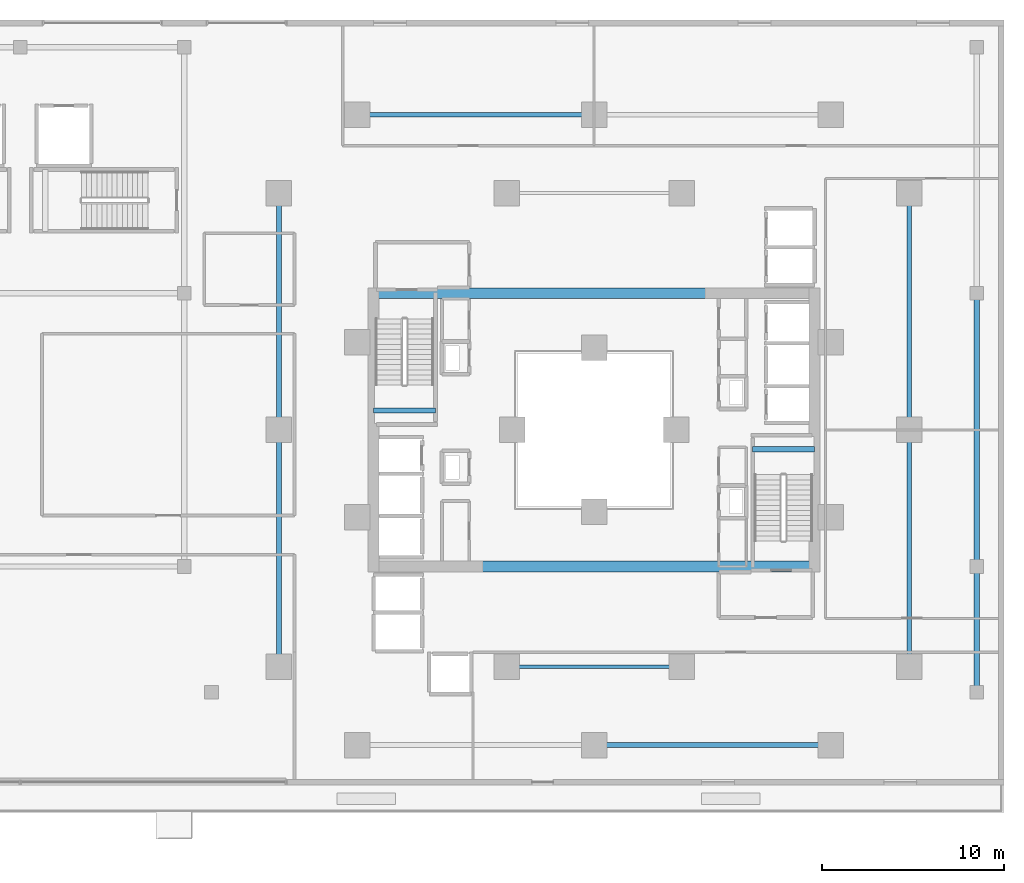
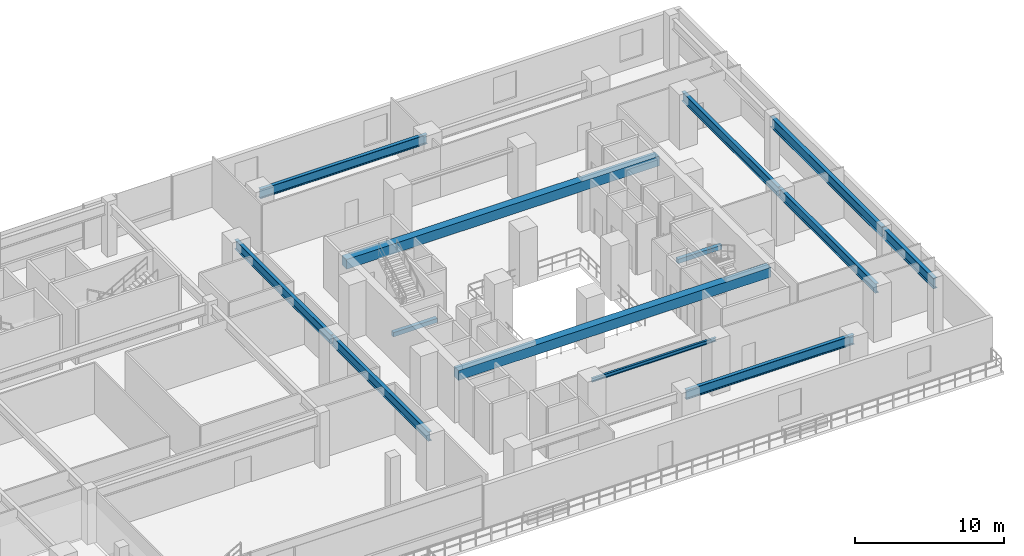
# One storey, part 10 of 25: 13 beams.
"""IFC4 building model written with IfcOpenShell, lengths in metres."""

from ifc_helpers import new_model, si_unit, direction, frame, origin, origin_2d, place, context, subcontext, project, spatial, rectangle, i_section, extrude, material, material_profile, profile_set, type_object, element, save


model = new_model("IFC4")

# Units and contexts
model_context = context("Model", 3, precision=1e-05, world=origin(), true_north=direction((0.0, 1.0)))
body_context = subcontext(model_context, "Body", "Model", "MODEL_VIEW")
ifc_project = project(units=[si_unit("LENGTHUNIT", "METRE"), si_unit("AREAUNIT", "SQUARE_METRE"), si_unit("VOLUMEUNIT", "CUBIC_METRE"), si_unit("PLANEANGLEUNIT", "RADIAN"), si_unit("MASSUNIT", "GRAM", prefix="KILO")], contexts=[model_context])

# Site, building, storey
site_placement = place(None, origin())
site = spatial("IfcSite", under=ifc_project, at=site_placement, CompositionType="ELEMENT")
building_placement = place(site_placement, origin())
building = spatial("IfcBuilding", under=site, at=building_placement, Name="Thornwick Lancets Civic Towers", CompositionType="ELEMENT")
storey_placement = place(building_placement, frame((0.0, 0.0, 9.60009765625)))
storey = spatial("IfcBuildingStorey", under=building, at=storey_placement, Name="L02", CompositionType="ELEMENT", Elevation=9.60009765625)

# Beams
ifc_material_1 = material(Name="Concrete C60/75", Category="concrete")
ifc_material_profile_1 = material_profile(ifc_material_1, rectangle(XDim=0.60009765625, YDim=0.800048828125, at=origin_2d()), Name="RC 600x800")
ifc_profile_set_1 = profile_set([ifc_material_profile_1], Name="Concrete C60/75")
beam_type_1 = type_object("IfcBeamType", Name="BM_COUP_RC800", PredefinedType="BEAM", material=ifc_profile_set_1)
for number, where, z_axis, x_axis, name in (
    (1, (76.39990234375, 34.5, 3.77978515625), (1.0, 0.0, 0.0), (0.0, 1.0, 0.0), "CB-L02-B1"),
    (2, (76.39990234375, 19.5, 3.77978515625), (1.0, 0.0, 0.0), (0.0, 1.0, 0.0), "CB-L02-B2"),
):
    element("IfcBeam", number, at=place(storey_placement, frame(where, z_axis=z_axis, x_axis=x_axis)), inside=storey, type_object=beam_type_1, Name=name, PredefinedType="BEAM", context=body_context, shape_type="SweptSolid", body=[
        extrude(rectangle(XDim=0.60009765625, YDim=0.800048828125, at=origin_2d()), origin(), (0.0, 0.0, 1.0), 24.2001953125),
    ])
ifc_material_2 = material(Name="Steel S355JR", Category="steel")
ifc_material_profile_2 = material_profile(ifc_material_2, i_section(OverallWidth=0.26806640625, OverallDepth=0.769775390625, WebThickness=0.015625, FlangeThickness=0.025390625, FilletRadius=0.0166015625, at=origin_2d()), Name="UKB 762x267x197")
ifc_profile_set_2 = profile_set([ifc_material_profile_2], Name="Steel S355JR")
beam_type_2 = type_object("IfcBeamType", Name="BM_GIRD_762_197", PredefinedType="BEAM", material=ifc_profile_set_2)
beam_1_placement = place(storey_placement, frame((105.800048828125, 14.0, 3.794921875), z_axis=(0.0, 1.0, 0.0), x_axis=(-1.0, 0.0, 0.0)))
element("IfcBeam", 3, at=beam_1_placement, inside=storey, type_object=beam_type_2, Name="BM-SPINE-L02-B-0-1", PredefinedType="BEAM", context=body_context, shape_type="SweptSolid", body=[
    extrude(i_section(OverallWidth=0.26806640625, OverallDepth=0.769775390625, WebThickness=0.015625, FlangeThickness=0.025390625, FilletRadius=0.0166015625, at=origin_2d()), origin(), (0.0, 0.0, 1.0), 13.0),
])
for number, where, z_axis, x_axis, name in (
    (4, (105.800048828125, 27.080078125, 3.794921875), (0.0, 1.0, 0.0), (-1.0, 0.0, 0.0), "BM-SPINE-L02-B-1-2"),
    (5, (88.419921875, 44.300048828125, 3.794921875), (-1.0, 0.0, 0.0), (0.0, -1.0, 0.0), "BM-SPINE-L02-B-4-5"),
):
    element("IfcBeam", number, at=place(storey_placement, frame(where, z_axis=z_axis, x_axis=x_axis)), inside=storey, type_object=beam_type_2, Name=name, PredefinedType="BEAM", context=body_context, shape_type="SweptSolid", body=[
        extrude(i_section(OverallWidth=0.26806640625, OverallDepth=0.769775390625, WebThickness=0.015625, FlangeThickness=0.025390625, FilletRadius=0.0166015625, at=origin_2d()), origin(), (0.0, 0.0, 1.0), 12.919921875),
    ])
beam_2_placement = place(storey_placement, frame((71.199951171875, 14.0, 3.794921875), z_axis=(0.0, 1.0, 0.0), x_axis=(-1.0, 0.0, 0.0)))
element("IfcBeam", 6, at=beam_2_placement, inside=storey, type_object=beam_type_2, Name="BM-SPINE-L02-B-6-7", PredefinedType="BEAM", context=body_context, shape_type="SweptSolid", body=[
    extrude(i_section(OverallWidth=0.26806640625, OverallDepth=0.769775390625, WebThickness=0.015625, FlangeThickness=0.025390625, FilletRadius=0.0166015625, at=origin_2d()), origin(), (0.0, 0.0, 1.0), 13.0),
])
beam_3_placement = place(storey_placement, frame((71.199951171875, 27.080078125, 3.794921875), z_axis=(0.0, 1.0, 0.0), x_axis=(-1.0, 0.0, 0.0)))
element("IfcBeam", 7, at=beam_3_placement, inside=storey, type_object=beam_type_2, Name="BM-SPINE-L02-B-7-8", PredefinedType="BEAM", context=body_context, shape_type="SweptSolid", body=[
    extrude(i_section(OverallWidth=0.26806640625, OverallDepth=0.769775390625, WebThickness=0.015625, FlangeThickness=0.025390625, FilletRadius=0.0166015625, at=origin_2d()), origin(), (0.0, 0.0, 1.0), 12.919921875),
])
beam_4_placement = place(storey_placement, frame((101.5, 9.699951171875, 3.794921875), z_axis=(-1.0, 0.0, 0.0), x_axis=(0.0, -1.0, 0.0)))
element("IfcBeam", 8, at=beam_4_placement, inside=storey, type_object=beam_type_2, Name="BM-SPINE-L02-B-9-10", PredefinedType="BEAM", context=body_context, shape_type="SweptSolid", body=[
    extrude(i_section(OverallWidth=0.26806640625, OverallDepth=0.769775390625, WebThickness=0.015625, FlangeThickness=0.025390625, FilletRadius=0.0166015625, at=origin_2d()), origin(), (0.0, 0.0, 1.0), 13.0),
])
ifc_material_profile_3 = material_profile(ifc_material_2, i_section(OverallWidth=0.1669921875, OverallDepth=0.310302734375, WebThickness=0.0078125, FlangeThickness=0.013671875, FilletRadius=0.0087890625, at=origin_2d()), Name="UKB 305x165x54")
ifc_profile_set_3 = profile_set([ifc_material_profile_3], Name="Steel S355JR")
beam_type_3 = type_object("IfcBeamType", Name="BM_LINTEL_305_54", PredefinedType="LINTEL", material=ifc_profile_set_3)
beam_5_placement = place(storey_placement, frame((93.300048828125, 14.0, 4.024658203125), z_axis=(-1.0, 0.0, 0.0), x_axis=(0.0, -1.0, 0.0)))
element("IfcBeam", 9, at=beam_5_placement, inside=storey, type_object=beam_type_3, Name="BM-INSP-L02-B-0-2", PredefinedType="LINTEL", context=body_context, shape_type="SweptSolid", body=[
    extrude(i_section(OverallWidth=0.1669921875, OverallDepth=0.310302734375, WebThickness=0.0078125, FlangeThickness=0.013671875, FilletRadius=0.0087890625, at=origin_2d()), origin(), (0.0, 0.0, 1.0), 9.60009765625),
])
ifc_material_profile_4 = material_profile(ifc_material_2, i_section(OverallWidth=0.293701171875, OverallDepth=0.850830078125, WebThickness=0.01611328125, FlangeThickness=0.02685546875, FilletRadius=0.017822265625, at=origin_2d()), Name="UKB 838x292x226")
ifc_profile_set_4 = profile_set([ifc_material_profile_4], Name="Steel S355JR")
beam_type_4 = type_object("IfcBeamType", Name="BM_POD_838_226", PredefinedType="BEAM", material=ifc_profile_set_4)
beam_6_placement = place(storey_placement, frame((109.5, 12.60009765625, 3.75439453125), z_axis=(0.0, 1.0, 0.0), x_axis=(-1.0, 0.0, 0.0)))
element("IfcBeam", 10, at=beam_6_placement, inside=storey, type_object=beam_type_4, Name="BM-PODG-L02-3-14", PredefinedType="BEAM", context=body_context, shape_type="SweptSolid", body=[
    extrude(i_section(OverallWidth=0.293701171875, OverallDepth=0.850830078125, WebThickness=0.01611328125, FlangeThickness=0.02685546875, FilletRadius=0.017822265625, at=origin_2d()), origin(), (0.0, 0.0, 1.0), 6.89990234375),
])
beam_7_placement = place(storey_placement, frame((109.5, 19.580078125, 3.75439453125), z_axis=(0.0, 1.0, 0.0), x_axis=(-1.0, 0.0, 0.0)))
element("IfcBeam", 11, at=beam_7_placement, inside=storey, type_object=beam_type_4, Name="BM-PODG-L02-14-15", PredefinedType="BEAM", context=body_context, shape_type="SweptSolid", body=[
    extrude(i_section(OverallWidth=0.293701171875, OverallDepth=0.850830078125, WebThickness=0.01611328125, FlangeThickness=0.02685546875, FilletRadius=0.017822265625, at=origin_2d()), origin(), (0.0, 0.0, 1.0), 14.919921875),
])
ifc_material_3 = material(Name="Concrete C40/50", Category="concrete")
ifc_material_profile_5 = material_profile(ifc_material_3, rectangle(XDim=0.300048828125, YDim=0.35009765625, at=origin_2d()), Name="RC 300x350")
ifc_profile_set_5 = profile_set([ifc_material_profile_5], Name="Concrete C40/50")
beam_type_5 = type_object("IfcBeamType", Name="BM_STAIR_LDG", PredefinedType="BEAM", material=ifc_profile_set_5)
for number, where, z_axis, x_axis, name in (
    (12, (100.60009765625, 25.93505859375, 1.827880859375), (-1.0, 0.0, 0.0), (0.0, -1.0, 0.0), "L02 ST-B1 Landing Support Beam 1"),
    (13, (76.39990234375, 28.06494140625, 1.827880859375), (1.0, 0.0, 0.0), (0.0, 1.0, 0.0), "L02 ST-B2 Landing Support Beam 1"),
):
    element("IfcBeam", number, at=place(storey_placement, frame(where, z_axis=z_axis, x_axis=x_axis)), inside=storey, type_object=beam_type_5, Name=name, PredefinedType="BEAM", context=body_context, shape_type="SweptSolid", body=[
        extrude(rectangle(XDim=0.300048828125, YDim=0.35009765625, at=origin_2d()), origin(), (0.0, 0.0, 1.0), 3.400146484375),
    ])

save(model, "model.ifc")
